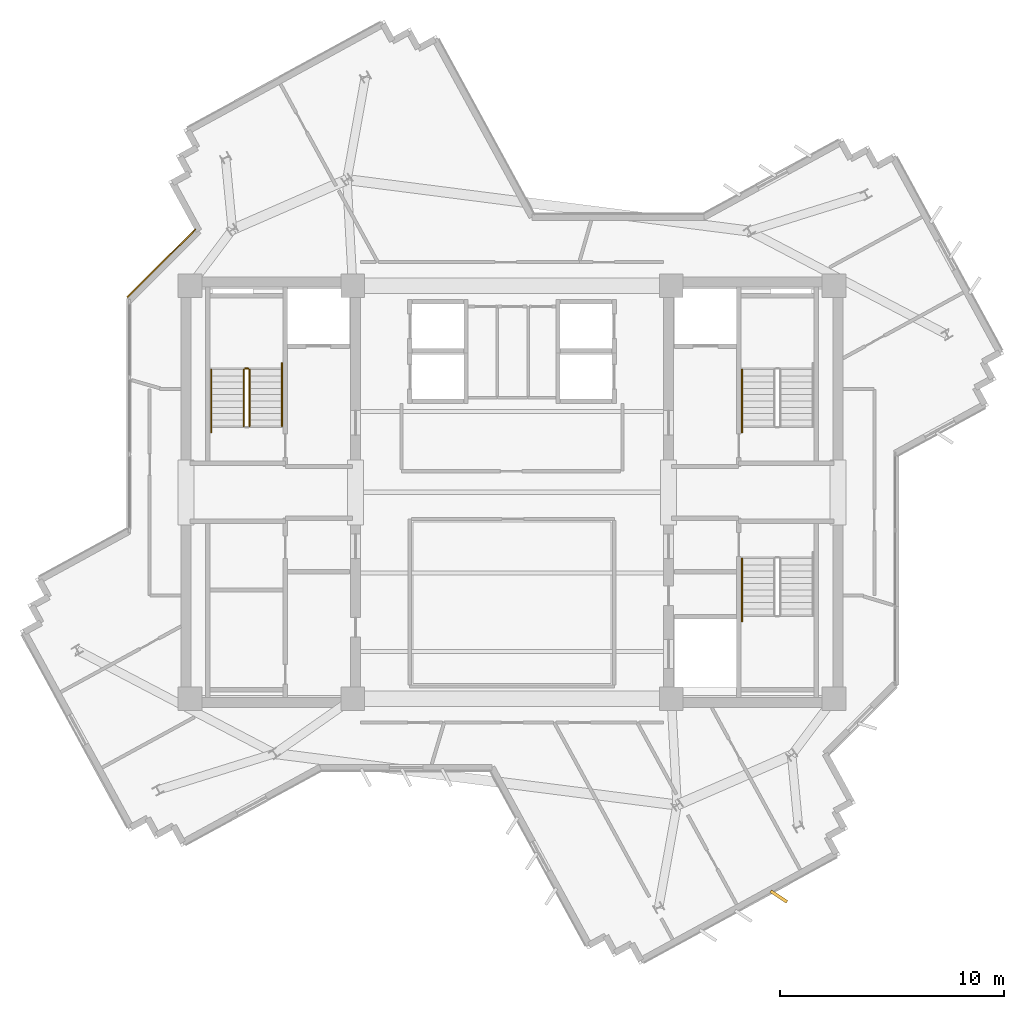
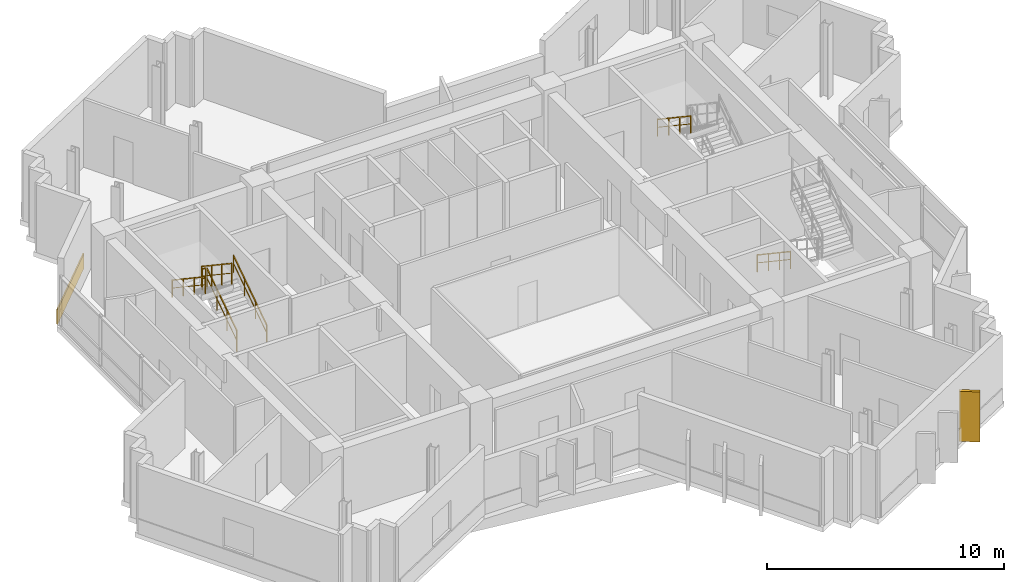
# One storey, part 11 of 13: 7 railings, 2 coverings.
"""IFC4 building model written with IfcOpenShell, lengths in metres."""

import ifcopenshell
import ifcopenshell.guid

model = None  # the IFC model being written
_history = None  # IfcOwnerHistory: only IFC2X3 demands one
_inside = {}  # id of a spatial element -> (the spatial element, [elements in it])
_under = {}  # id of a project, library or spatial element -> (it, [spatial elements below it])
_declared = {}  # id of a project -> (the project, [libraries it declares])
_typed = {}  # id of a type object -> (the type object, [elements of that type])
_made_of = {}  # id of a material, layer set ... -> (it, [elements and type objects made of it])


def new_model(schema):
    """Start an empty IFC model of exactly this schema.

    Asked for "IFC4X3", IfcOpenShell would pick the latest addendum, in which some entities
    have other attributes; the version numbers below select the first issue.
    IFC2X3 requires an IfcOwnerHistory on every rooted entity: one is made here for all.
    """
    global model, _history
    if schema == "IFC4X3":
        model = ifcopenshell.file(schema_version=(4, 3, 0, 0))
    else:
        model = ifcopenshell.file(schema=schema)
    _inside.clear()
    _under.clear()
    _declared.clear()
    _typed.clear()
    _made_of.clear()
    _history = None
    if model.schema == "IFC2X3":
        org = make("IfcOrganization", Name="unknown")
        user = make(
            "IfcPersonAndOrganization",
            ThePerson=make("IfcPerson", FamilyName="unknown"),
            TheOrganization=org,
        )
        app = make(
            "IfcApplication",
            ApplicationDeveloper=org,
            Version="unknown",
            ApplicationFullName="unknown",
            ApplicationIdentifier="unknown",
        )
        _history = make(
            "IfcOwnerHistory",
            OwningUser=user,
            OwningApplication=app,
            ChangeAction="ADDED",
            CreationDate=0,
        )
    return model


def make(cls, **values):
    """One entity of the class cls with the attributes given. An attribute that is None is left unset."""
    return model.create_entity(
        cls, **{name: value for name, value in values.items() if value is not None}
    )


def rooted(cls, **values):
    """An entity with a GlobalId (a new one), such as an element, a storey or a relation."""
    return make(cls, GlobalId=ifcopenshell.guid.new(), OwnerHistory=_history, **values)


def si_unit(unit_type, name, prefix=None):
    """IfcSIUnit, for example si_unit("LENGTHUNIT", "METRE", prefix="MILLI")."""
    return make("IfcSIUnit", UnitType=unit_type, Prefix=prefix, Name=name)


def assignment(units):
    """IfcUnitAssignment: the units of a project."""
    return None if units is None else make("IfcUnitAssignment", Units=units)


def point(xyz):
    """IfcCartesianPoint."""
    return None if xyz is None else make("IfcCartesianPoint", Coordinates=xyz)


def direction(xyz):
    """IfcDirection."""
    return None if xyz is None else make("IfcDirection", DirectionRatios=xyz)


def frame(location, z_axis=None, x_axis=None):
    """IfcAxis2Placement3D, a coordinate frame: its origin and axes. An axis left out is left unset."""
    return make(
        "IfcAxis2Placement3D",
        Location=point(location),
        Axis=direction(z_axis),
        RefDirection=direction(x_axis),
    )


def frame_2d(location, x_axis=None):
    """IfcAxis2Placement2D, a coordinate frame in the plane: its origin and x axis."""
    return make(
        "IfcAxis2Placement2D", Location=point(location), RefDirection=direction(x_axis)
    )


def origin():
    """The frame at (0, 0, 0) with its axes left unset."""
    return frame((0.0, 0.0, 0.0))


def origin_2d():
    """The frame at (0, 0) in the plane with its x axis left unset."""
    return frame_2d((0.0, 0.0))


def place(relative_to, where):
    """IfcLocalPlacement: puts the frame where relative to a parent placement (None: the world)."""
    return make(
        "IfcLocalPlacement", PlacementRelTo=relative_to, RelativePlacement=where
    )


def context(
    kind, dimensions, precision=None, world=None, true_north=None, identifier=None
):
    """IfcGeometricRepresentationContext, for example the 3D "Model" context."""
    return make(
        "IfcGeometricRepresentationContext",
        ContextIdentifier=identifier,
        ContextType=kind,
        CoordinateSpaceDimension=dimensions,
        Precision=precision,
        WorldCoordinateSystem=world,
        TrueNorth=true_north,
    )


def subcontext(parent, identifier, kind, view, scale=None):
    """IfcGeometricRepresentationSubContext, for example "Body" below "Model"."""
    return make(
        "IfcGeometricRepresentationSubContext",
        ContextIdentifier=identifier,
        ContextType=kind,
        ParentContext=parent,
        TargetScale=scale,
        TargetView=view,
    )


def project(units=None, contexts=None):
    """IfcProject with its units and contexts."""
    return rooted(
        "IfcProject",
        Name="project",
        RepresentationContexts=contexts,
        UnitsInContext=assignment(units),
    )


def spatial(cls, under=None, at=None, **own):
    """A site, building, storey or space (cls), placed at a placement, below another one or the project."""
    s = rooted(cls, ObjectPlacement=at, **own)
    if under is not None:
        _under.setdefault(under.id(), (under, []))[1].append(s)
    return s


def profile(cls, at=None, kind="AREA", **sizes):
    """A parametric profile (cls). Its sizes go by their IFC names, for example OverallWidth=200.0."""
    return make(cls, ProfileType=kind, Position=at, **sizes)


def rectangle(**sizes):
    """IfcRectangleProfileDef."""
    return profile("IfcRectangleProfileDef", **sizes)


def extrude(swept, where, along, depth):
    """IfcExtrudedAreaSolid: the profile swept, set in the frame where, extruded along a direction by depth."""
    return make(
        "IfcExtrudedAreaSolid",
        SweptArea=swept,
        Position=where,
        ExtrudedDirection=direction(along),
        Depth=depth,
    )


def shape(context_of_items, identifier, shape_type, items):
    """IfcShapeRepresentation: the items that make up one representation, for example the "Body"."""
    return make(
        "IfcShapeRepresentation",
        ContextOfItems=context_of_items,
        RepresentationIdentifier=identifier,
        RepresentationType=shape_type,
        Items=items,
    )


def source(mapping_origin, context_of_items, identifier, shape_type, items):
    """IfcRepresentationMap: a shape defined once, which mapped items show again and again."""
    return make(
        "IfcRepresentationMap",
        MappingOrigin=mapping_origin,
        MappedRepresentation=shape(context_of_items, identifier, shape_type, items),
    )


def transform(
    local_origin,
    x_axis=None,
    y_axis=None,
    z_axis=None,
    scale=None,
    scale2=None,
    scale3=None,
    uniform=True,
):
    """IfcCartesianTransformationOperator3D, or its non-uniform kind. x_axis, y_axis, z_axis: its Axis1, 2, 3."""
    if uniform:
        return make(
            "IfcCartesianTransformationOperator3D",
            Axis1=direction(x_axis),
            Axis2=direction(y_axis),
            LocalOrigin=point(local_origin),
            Scale=scale,
            Axis3=direction(z_axis),
        )
    return make(
        "IfcCartesianTransformationOperator3DnonUniform",
        Axis1=direction(x_axis),
        Axis2=direction(y_axis),
        LocalOrigin=point(local_origin),
        Scale=scale,
        Axis3=direction(z_axis),
        Scale2=scale2,
        Scale3=scale3,
    )


def mapped(mapping_source, mapping_target):
    """IfcMappedItem: shows the shape of a source again, moved by a transform."""
    return make(
        "IfcMappedItem", MappingSource=mapping_source, MappingTarget=mapping_target
    )


def material(Name=None, Category=None):
    """IfcMaterial."""
    return make("IfcMaterial", Name=Name, Category=Category)


def layer(
    of_material, thickness, ventilated=None, Name=None, Category=None, Priority=None
):
    """IfcMaterialLayer: one layer of a wall or slab, of a material (None: an air gap)."""
    return make(
        "IfcMaterialLayer",
        Material=of_material,
        LayerThickness=thickness,
        IsVentilated=ventilated,
        Name=Name,
        Category=Category,
        Priority=Priority,
    )


def layer_set(layers, Name=None):
    """IfcMaterialLayerSet."""
    return make("IfcMaterialLayerSet", MaterialLayers=layers, LayerSetName=Name)


def made_of(thing, what):
    """Note that an element or type object is made of a material, layer set ...; save() writes the relation."""
    if what is not None:
        _made_of.setdefault(what.id(), (what, []))[1].append(thing)
    return thing


def type_object(cls, material=None, **own):
    """A type object (cls), such as IfcWallType, which elements share."""
    return made_of(rooted(cls, **own), material)


def element(
    cls,
    number,
    at=None,
    inside=None,
    cuts=None,
    type_object=None,
    material=None,
    context=None,
    identifier="Body",
    shape_type=None,
    held_by="IfcProductDefinitionShape",
    body=None,
    shapes=None,
    **own,
):
    """One element of the class cls, such as IfcWall. Its Tag is "e" and its number.

    at: its placement. inside: the storey or other place that contains it. cuts: it is an
    opening in that element (IfcRelVoidsElement). A single representation is given by context,
    identifier, shape_type and body (its items); several are given by shapes. held_by: the class
    of the entity that holds the representations. save() writes the other relations.
    """
    e = rooted(cls, Tag="e%d" % number, ObjectPlacement=at, **own)
    if body is not None:
        shapes = [shape(context, identifier, shape_type, body)]
    if shapes is not None:
        e.Representation = make(held_by, Representations=shapes)
    if inside is not None:
        _inside.setdefault(inside.id(), (inside, []))[1].append(e)
    if cuts is not None:
        rooted(
            "IfcRelVoidsElement", RelatingBuildingElement=cuts, RelatedOpeningElement=e
        )
    if type_object is not None:
        _typed.setdefault(type_object.id(), (type_object, []))[1].append(e)
    return made_of(e, material)


def aggregate(whole, parts):
    """IfcRelAggregates: a whole, such as a stair, and the parts it consists of."""
    return rooted("IfcRelAggregates", RelatingObject=whole, RelatedObjects=parts)


def save(model, path):
    """Write the relations noted so far, then the file.

    IfcRelAggregates (storeys below a building ...), IfcRelContainedInSpatialStructure (elements
    in a storey), IfcRelDefinesByType, IfcRelAssociatesMaterial and IfcRelDeclares: one each for
    every whole, place, type object, material and project.
    """
    for whole, parts in _under.values():
        aggregate(whole, parts)
    for where, things in _inside.values():
        rooted(
            "IfcRelContainedInSpatialStructure",
            RelatedElements=things,
            RelatingStructure=where,
        )
    for kind, things in _typed.values():
        rooted("IfcRelDefinesByType", RelatedObjects=things, RelatingType=kind)
    for what, things in _made_of.values():
        rooted("IfcRelAssociatesMaterial", RelatedObjects=things, RelatingMaterial=what)
    for by, libraries in _declared.values():
        rooted("IfcRelDeclares", RelatingContext=by, RelatedDefinitions=libraries)
    model.write(path)


model = new_model("IFC4")

# Units and contexts
model_context = context("Model", 3, precision=1e-05, world=origin(), true_north=direction((0.0, 1.0)))
body_context = subcontext(model_context, "Body", "Model", "MODEL_VIEW")
ifc_project = project(units=[si_unit("LENGTHUNIT", "METRE"), si_unit("AREAUNIT", "SQUARE_METRE"), si_unit("VOLUMEUNIT", "CUBIC_METRE"), si_unit("PLANEANGLEUNIT", "RADIAN"), si_unit("MASSUNIT", "GRAM", prefix="KILO")], contexts=[model_context])

# Site, building, storey
site_placement = place(None, origin())
site = spatial("IfcSite", under=ifc_project, at=site_placement, CompositionType="ELEMENT")
building_placement = place(site_placement, origin())
building = spatial("IfcBuilding", under=site, at=building_placement, Name="Zahravan Cultural Tower", CompositionType="ELEMENT")
storey_placement = place(building_placement, frame((0.0, 0.0, 250.35009765625)))
storey = spatial("IfcBuildingStorey", under=building, at=storey_placement, Name="L59", CompositionType="ELEMENT", Elevation=250.35009765625)

# Railings
ifc_material_1 = material(Name="Steel ASTM A572 Grade 50", Category="steel")
railing_type_1 = type_object("IfcRailingType", Name="RL-STAIR-GRD1150", PredefinedType="BALUSTRADE", material=ifc_material_1)
railing_1_placement = place(storey_placement, frame((24.300048828125, 29.949951171875, 0.1875)))
element("IfcRailing", 1, at=railing_1_placement, inside=storey, type_object=railing_type_1, Name="L59 ST-W1 stair guard 1", PredefinedType="BALUSTRADE", context=body_context, shape_type="SweptSolid", body=[
    extrude(rectangle(XDim=0.05, YDim=0.05, at=origin_2d()), frame((0.0, 0.0, 1.0751953125), z_axis=(0.0, 0.830909170722, 0.55640807867), x_axis=(-1.0, 0.0, 0.0)), (0.0, 0.0, 1.0), 3.032958984375),
    extrude(rectangle(XDim=0.032, YDim=0.032, at=origin_2d()), frame((0.0, 0.0, 0.572021484375), z_axis=(0.0, 0.830909170722, 0.55640807867), x_axis=(-1.0, 0.0, 0.0)), (0.0, 0.0, 1.0), 3.032958984375),
    extrude(rectangle(XDim=0.04, YDim=0.04, at=origin_2d()), origin(), (0.0, 0.0, 1.0), 1.10009765625),
    extrude(rectangle(XDim=0.04, YDim=0.04, at=origin_2d()), frame((0.0, 0.840087890625, 0.5625)), (0.0, 0.0, 1.0), 1.10009765625),
    extrude(rectangle(XDim=0.04, YDim=0.04, at=origin_2d()), frame((0.0, 1.679931640625, 1.125)), (0.0, 0.0, 1.0), 1.10009765625),
    extrude(rectangle(XDim=0.04, YDim=0.04, at=origin_2d()), frame((0.0, 2.52001953125, 1.6875)), (0.0, 0.0, 1.0), 1.10009765625),
])
railing_2_placement = place(storey_placement, frame((24.25, 32.52001953125, 1.875)))
element("IfcRailing", 2, at=railing_2_placement, inside=storey, type_object=railing_type_1, Name="L59 ST-W1 stair guard 2", PredefinedType="BALUSTRADE", context=body_context, shape_type="SweptSolid", body=[
    extrude(rectangle(XDim=0.05, YDim=0.05, at=origin_2d()), frame((0.0, 0.0, 1.0751953125), z_axis=(-1.0, 0.0, 0.0), x_axis=(0.0, -1.0, 0.0)), (0.0, 0.0, 1.0), 0.14990234375),
    extrude(rectangle(XDim=0.032, YDim=0.032, at=origin_2d()), frame((0.0, 0.0, 0.572021484375), z_axis=(-1.0, 0.0, 0.0), x_axis=(0.0, -1.0, 0.0)), (0.0, 0.0, 1.0), 0.14990234375),
    extrude(rectangle(XDim=0.04, YDim=0.04, at=origin_2d()), origin(), (0.0, 0.0, 1.0), 1.10009765625),
    extrude(rectangle(XDim=0.04, YDim=0.04, at=origin_2d()), frame((-0.14990234375, 0.0, 0.0)), (0.0, 0.0, 1.0), 1.10009765625),
])
railing_3_placement = place(storey_placement, frame((24.050048828125, 32.469970703125, 2.0625)))
element("IfcRailing", 3, at=railing_3_placement, inside=storey, type_object=railing_type_1, Name="L59 ST-W1 stair guard 3", PredefinedType="BALUSTRADE", context=body_context, shape_type="SweptSolid", body=[
    extrude(rectangle(XDim=0.05, YDim=0.05, at=origin_2d()), frame((0.0, 0.0, 1.0751953125), z_axis=(0.0, -0.830909170722, 0.55640807867), x_axis=(1.0, 0.0, 0.0)), (0.0, 0.0, 1.0), 3.032958984375),
    extrude(rectangle(XDim=0.032, YDim=0.032, at=origin_2d()), frame((0.0, 0.0, 0.572021484375), z_axis=(0.0, -0.830909170722, 0.55640807867), x_axis=(1.0, 0.0, 0.0)), (0.0, 0.0, 1.0), 3.032958984375),
    extrude(rectangle(XDim=0.04, YDim=0.04, at=origin_2d()), origin(), (0.0, 0.0, 1.0), 1.10009765625),
    extrude(rectangle(XDim=0.04, YDim=0.04, at=origin_2d()), frame((0.0, -0.840087890625, 0.5625)), (0.0, 0.0, 1.0), 1.10009765625),
    extrude(rectangle(XDim=0.04, YDim=0.04, at=origin_2d()), frame((0.0, -1.679931640625, 1.125)), (0.0, 0.0, 1.0), 1.10009765625),
    extrude(rectangle(XDim=0.04, YDim=0.04, at=origin_2d()), frame((0.0, -2.52001953125, 1.6875)), (0.0, 0.0, 1.0), 1.10009765625),
])
railing_type_2 = type_object("IfcRailingType", Name="RL-STAIR-HR900", PredefinedType="HANDRAIL", material=ifc_material_1)
railing_4_placement = place(storey_placement, frame((25.75, 29.949951171875, 0.1875)))
element("IfcRailing", 4, at=railing_4_placement, inside=storey, type_object=railing_type_2, Name="L59 ST-W1 stair handrail 1", PredefinedType="HANDRAIL", context=body_context, shape_type="SweptSolid", body=[
    extrude(rectangle(XDim=0.05, YDim=0.05, at=origin_2d()), frame((0.0, 0.0, 0.875), z_axis=(0.0, 0.830911662861, 0.55640435703), x_axis=(-1.0, 0.0, 0.0)), (0.0, 0.0, 1.0), 3.369873046875),
    extrude(rectangle(XDim=0.032, YDim=0.032, at=origin_2d()), frame((0.0, 0.0, 0.468017578125), z_axis=(0.0, 0.830911662861, 0.55640435703), x_axis=(-1.0, 0.0, 0.0)), (0.0, 0.0, 1.0), 3.369873046875),
    extrude(rectangle(XDim=0.04, YDim=0.04, at=origin_2d()), origin(), (0.0, 0.0, 1.0), 0.89990234375),
    extrude(rectangle(XDim=0.04, YDim=0.04, at=origin_2d()), frame((0.0, 0.933349609375, 0.625)), (0.0, 0.0, 1.0), 0.89990234375),
    extrude(rectangle(XDim=0.04, YDim=0.04, at=origin_2d()), frame((0.0, 1.86669921875, 1.25)), (0.0, 0.0, 1.0), 0.89990234375),
    extrude(rectangle(XDim=0.04, YDim=0.04, at=origin_2d()), frame((0.0, 2.800048828125, 1.875)), (0.0, 0.0, 1.0), 0.89990234375),
])
for number, where, name in (
    (5, (22.60009765625, 32.469970703125, 2.0625), "L59 ST-W1 stair handrail 2"),
    (6, (46.25, 32.469970703125, 2.0625), "L59 ST-E1 stair handrail 2"),
    (7, (46.25, 24.050048828125, 0.1875), "L59 ST-E2 stair handrail 1"),
):
    element("IfcRailing", number, at=place(storey_placement, frame(where)), inside=storey, type_object=railing_type_2, Name=name, PredefinedType="HANDRAIL", context=body_context, shape_type="SweptSolid", body=[
        extrude(rectangle(XDim=0.05, YDim=0.05, at=origin_2d()), frame((0.0, 0.0, 0.875), z_axis=(0.0, -0.830911662861, 0.55640435703), x_axis=(1.0, 0.0, 0.0)), (0.0, 0.0, 1.0), 3.369873046875),
        extrude(rectangle(XDim=0.032, YDim=0.032, at=origin_2d()), frame((0.0, 0.0, 0.468017578125), z_axis=(0.0, -0.830911662861, 0.55640435703), x_axis=(1.0, 0.0, 0.0)), (0.0, 0.0, 1.0), 3.369873046875),
        extrude(rectangle(XDim=0.04, YDim=0.04, at=origin_2d()), origin(), (0.0, 0.0, 1.0), 0.89990234375),
        extrude(rectangle(XDim=0.04, YDim=0.04, at=origin_2d()), frame((0.0, -0.933349609375, 0.625)), (0.0, 0.0, 1.0), 0.89990234375),
        extrude(rectangle(XDim=0.04, YDim=0.04, at=origin_2d()), frame((0.0, -1.86669921875, 1.25)), (0.0, 0.0, 1.0), 0.89990234375),
        extrude(rectangle(XDim=0.04, YDim=0.04, at=origin_2d()), frame((0.0, -2.800048828125, 1.875)), (0.0, 0.0, 1.0), 0.89990234375),
    ])

# Coverings
ifc_material_2 = material(Name="Terracotta ceramic cladding", Category="masonry")
ifc_layer = layer(ifc_material_2, 0.06005859375)
ifc_layer_set = layer_set([ifc_layer], Name="Terracotta ceramic cladding")
covering_type = type_object("IfcCoveringType", Name="COV-CLAD-TC60", PredefinedType="CLADDING", material=ifc_layer_set)
shared_shape_1 = source(origin(), body_context, "Body", "SweptSolid", [
    extrude(rectangle(XDim=0.8798828125, YDim=0.139892578125, at=origin_2d()), origin(), (0.0, 0.0, 1.0), 2.580078125),
])
covering_1_placement = place(storey_placement, frame((47.892578125, 8.986572265625, 0.0498046875), z_axis=(0.0, 0.0, 1.0), x_axis=(0.835327930385, -0.549751988372, 0.0)))
element("IfcCovering", 8, at=covering_1_placement, inside=storey, type_object=covering_type, Name="L59 Herringbone Terracotta Fin 09", PredefinedType="CLADDING", context=body_context, shape_type="MappedRepresentation", body=[
    mapped(shared_shape_1, transform((0.0, 0.0, 0.0), x_axis=(1.0, 0.0, 0.0), y_axis=(0.0, 1.0, 0.0), z_axis=(0.0, 0.0, 1.0), scale=1.0)),
])
shared_shape_2 = source(origin(), body_context, "Body", "SweptSolid", [
    extrude(rectangle(XDim=4.29345703125, YDim=0.06005859375, at=origin_2d()), origin(), (0.0, 0.0, 1.0), 0.760009765625),
])
covering_2_placement = place(storey_placement, frame((20.376708984375, 37.2119140625, 0.02001953125), z_axis=(0.0, 0.0, 1.0), x_axis=(0.707106781187, 0.707106781187, 0.0)))
element("IfcCovering", 9, at=covering_2_placement, inside=storey, type_object=covering_type, Name="L59 Terracotta Spandrel Cladding 36", PredefinedType="CLADDING", context=body_context, shape_type="MappedRepresentation", body=[
    mapped(shared_shape_2, transform((0.0, 0.0, 0.0), x_axis=(1.0, 0.0, 0.0), y_axis=(0.0, 1.0, 0.0), z_axis=(0.0, 0.0, 1.0), scale=1.0)),
])

save(model, "model.ifc")
